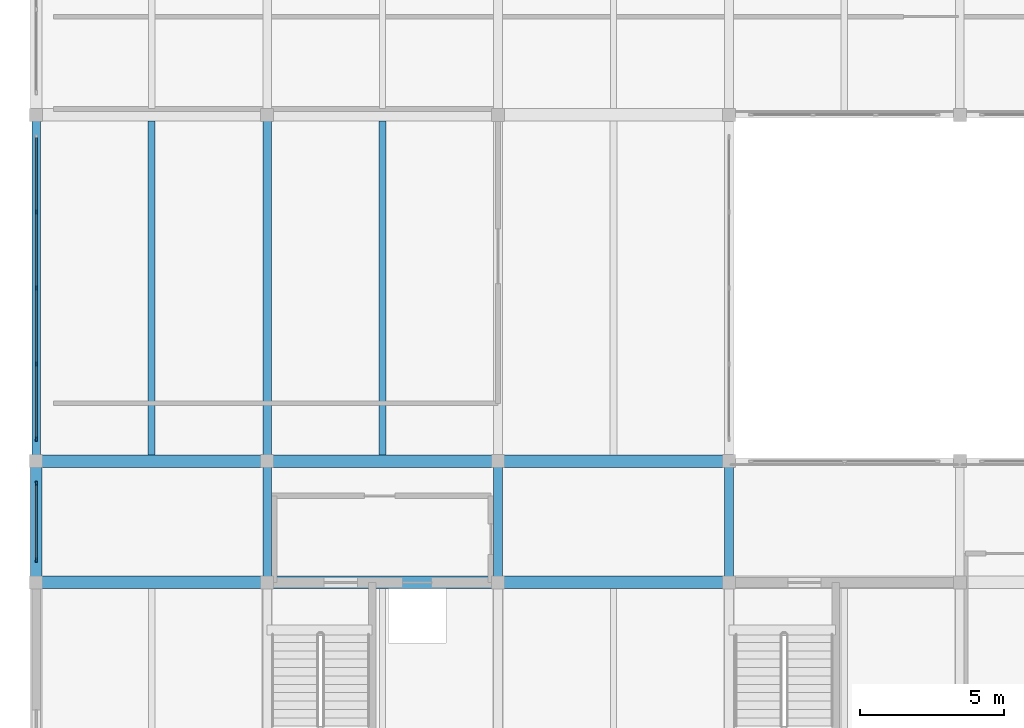
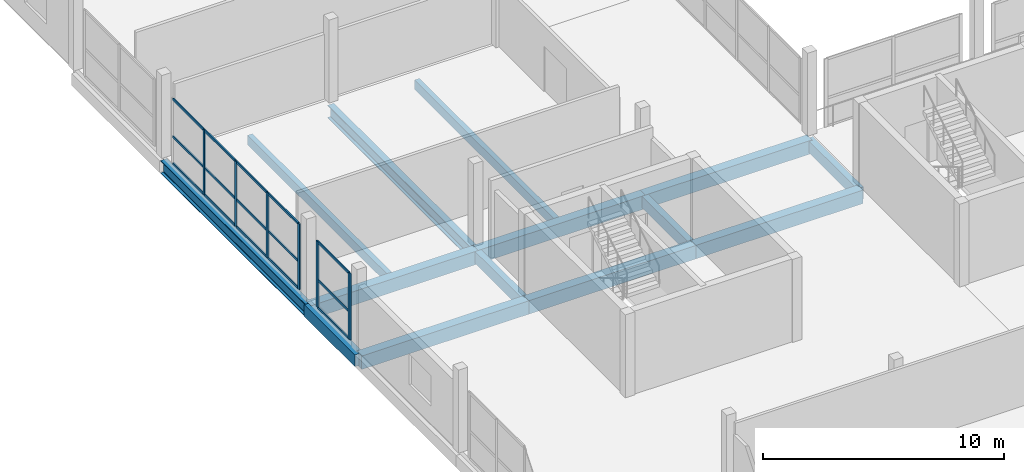
# One storey, part 19 of 53: 21 members, 14 beams, 2 elements without a shape of their own.
"""IFC4 building model written with IfcOpenShell, lengths in metres."""

import ifcopenshell
import ifcopenshell.guid

model = None  # the IFC model being written
_history = None  # IfcOwnerHistory: only IFC2X3 demands one
_inside = {}  # id of a spatial element -> (the spatial element, [elements in it])
_under = {}  # id of a project, library or spatial element -> (it, [spatial elements below it])
_declared = {}  # id of a project -> (the project, [libraries it declares])
_typed = {}  # id of a type object -> (the type object, [elements of that type])
_made_of = {}  # id of a material, layer set ... -> (it, [elements and type objects made of it])


def new_model(schema):
    """Start an empty IFC model of exactly this schema.

    Asked for "IFC4X3", IfcOpenShell would pick the latest addendum, in which some entities
    have other attributes; the version numbers below select the first issue.
    IFC2X3 requires an IfcOwnerHistory on every rooted entity: one is made here for all.
    """
    global model, _history
    if schema == "IFC4X3":
        model = ifcopenshell.file(schema_version=(4, 3, 0, 0))
    else:
        model = ifcopenshell.file(schema=schema)
    _inside.clear()
    _under.clear()
    _declared.clear()
    _typed.clear()
    _made_of.clear()
    _history = None
    if model.schema == "IFC2X3":
        org = make("IfcOrganization", Name="unknown")
        user = make(
            "IfcPersonAndOrganization",
            ThePerson=make("IfcPerson", FamilyName="unknown"),
            TheOrganization=org,
        )
        app = make(
            "IfcApplication",
            ApplicationDeveloper=org,
            Version="unknown",
            ApplicationFullName="unknown",
            ApplicationIdentifier="unknown",
        )
        _history = make(
            "IfcOwnerHistory",
            OwningUser=user,
            OwningApplication=app,
            ChangeAction="ADDED",
            CreationDate=0,
        )
    return model


def make(cls, **values):
    """One entity of the class cls with the attributes given. An attribute that is None is left unset."""
    return model.create_entity(
        cls, **{name: value for name, value in values.items() if value is not None}
    )


def rooted(cls, **values):
    """An entity with a GlobalId (a new one), such as an element, a storey or a relation."""
    return make(cls, GlobalId=ifcopenshell.guid.new(), OwnerHistory=_history, **values)


def si_unit(unit_type, name, prefix=None):
    """IfcSIUnit, for example si_unit("LENGTHUNIT", "METRE", prefix="MILLI")."""
    return make("IfcSIUnit", UnitType=unit_type, Prefix=prefix, Name=name)


def assignment(units):
    """IfcUnitAssignment: the units of a project."""
    return None if units is None else make("IfcUnitAssignment", Units=units)


def point(xyz):
    """IfcCartesianPoint."""
    return None if xyz is None else make("IfcCartesianPoint", Coordinates=xyz)


def direction(xyz):
    """IfcDirection."""
    return None if xyz is None else make("IfcDirection", DirectionRatios=xyz)


def frame(location, z_axis=None, x_axis=None):
    """IfcAxis2Placement3D, a coordinate frame: its origin and axes. An axis left out is left unset."""
    return make(
        "IfcAxis2Placement3D",
        Location=point(location),
        Axis=direction(z_axis),
        RefDirection=direction(x_axis),
    )


def frame_2d(location, x_axis=None):
    """IfcAxis2Placement2D, a coordinate frame in the plane: its origin and x axis."""
    return make(
        "IfcAxis2Placement2D", Location=point(location), RefDirection=direction(x_axis)
    )


def origin():
    """The frame at (0, 0, 0) with its axes left unset."""
    return frame((0.0, 0.0, 0.0))


def origin_2d():
    """The frame at (0, 0) in the plane with its x axis left unset."""
    return frame_2d((0.0, 0.0))


def place(relative_to, where):
    """IfcLocalPlacement: puts the frame where relative to a parent placement (None: the world)."""
    return make(
        "IfcLocalPlacement", PlacementRelTo=relative_to, RelativePlacement=where
    )


def context(
    kind, dimensions, precision=None, world=None, true_north=None, identifier=None
):
    """IfcGeometricRepresentationContext, for example the 3D "Model" context."""
    return make(
        "IfcGeometricRepresentationContext",
        ContextIdentifier=identifier,
        ContextType=kind,
        CoordinateSpaceDimension=dimensions,
        Precision=precision,
        WorldCoordinateSystem=world,
        TrueNorth=true_north,
    )


def subcontext(parent, identifier, kind, view, scale=None):
    """IfcGeometricRepresentationSubContext, for example "Body" below "Model"."""
    return make(
        "IfcGeometricRepresentationSubContext",
        ContextIdentifier=identifier,
        ContextType=kind,
        ParentContext=parent,
        TargetScale=scale,
        TargetView=view,
    )


def project(units=None, contexts=None):
    """IfcProject with its units and contexts."""
    return rooted(
        "IfcProject",
        Name="project",
        RepresentationContexts=contexts,
        UnitsInContext=assignment(units),
    )


def spatial(cls, under=None, at=None, **own):
    """A site, building, storey or space (cls), placed at a placement, below another one or the project."""
    s = rooted(cls, ObjectPlacement=at, **own)
    if under is not None:
        _under.setdefault(under.id(), (under, []))[1].append(s)
    return s


def profile(cls, at=None, kind="AREA", **sizes):
    """A parametric profile (cls). Its sizes go by their IFC names, for example OverallWidth=200.0."""
    return make(cls, ProfileType=kind, Position=at, **sizes)


def rectangle(**sizes):
    """IfcRectangleProfileDef."""
    return profile("IfcRectangleProfileDef", **sizes)


def i_section(**sizes):
    """IfcIShapeProfileDef."""
    return profile("IfcIShapeProfileDef", **sizes)


def extrude(swept, where, along, depth):
    """IfcExtrudedAreaSolid: the profile swept, set in the frame where, extruded along a direction by depth."""
    return make(
        "IfcExtrudedAreaSolid",
        SweptArea=swept,
        Position=where,
        ExtrudedDirection=direction(along),
        Depth=depth,
    )


def shape(context_of_items, identifier, shape_type, items):
    """IfcShapeRepresentation: the items that make up one representation, for example the "Body"."""
    return make(
        "IfcShapeRepresentation",
        ContextOfItems=context_of_items,
        RepresentationIdentifier=identifier,
        RepresentationType=shape_type,
        Items=items,
    )


def material(Name=None, Category=None):
    """IfcMaterial."""
    return make("IfcMaterial", Name=Name, Category=Category)


def material_profile(
    of_material, cross_section, Name=None, Category=None, Priority=None
):
    """IfcMaterialProfile: a cross section and its material."""
    return make(
        "IfcMaterialProfile",
        Name=Name,
        Material=of_material,
        Profile=cross_section,
        Priority=Priority,
        Category=Category,
    )


def profile_set(profiles, Name=None, composite=None):
    """IfcMaterialProfileSet."""
    return make(
        "IfcMaterialProfileSet",
        Name=Name,
        MaterialProfiles=profiles,
        CompositeProfile=composite,
    )


def made_of(thing, what):
    """Note that an element or type object is made of a material, layer set ...; save() writes the relation."""
    if what is not None:
        _made_of.setdefault(what.id(), (what, []))[1].append(thing)
    return thing


def type_object(cls, material=None, **own):
    """A type object (cls), such as IfcWallType, which elements share."""
    return made_of(rooted(cls, **own), material)


def element(
    cls,
    number,
    at=None,
    inside=None,
    cuts=None,
    type_object=None,
    material=None,
    context=None,
    identifier="Body",
    shape_type=None,
    held_by="IfcProductDefinitionShape",
    body=None,
    shapes=None,
    **own,
):
    """One element of the class cls, such as IfcWall. Its Tag is "e" and its number.

    at: its placement. inside: the storey or other place that contains it. cuts: it is an
    opening in that element (IfcRelVoidsElement). A single representation is given by context,
    identifier, shape_type and body (its items); several are given by shapes. held_by: the class
    of the entity that holds the representations. save() writes the other relations.
    """
    e = rooted(cls, Tag="e%d" % number, ObjectPlacement=at, **own)
    if body is not None:
        shapes = [shape(context, identifier, shape_type, body)]
    if shapes is not None:
        e.Representation = make(held_by, Representations=shapes)
    if inside is not None:
        _inside.setdefault(inside.id(), (inside, []))[1].append(e)
    if cuts is not None:
        rooted(
            "IfcRelVoidsElement", RelatingBuildingElement=cuts, RelatedOpeningElement=e
        )
    if type_object is not None:
        _typed.setdefault(type_object.id(), (type_object, []))[1].append(e)
    return made_of(e, material)


def aggregate(whole, parts):
    """IfcRelAggregates: a whole, such as a stair, and the parts it consists of."""
    return rooted("IfcRelAggregates", RelatingObject=whole, RelatedObjects=parts)


def save(model, path):
    """Write the relations noted so far, then the file.

    IfcRelAggregates (storeys below a building ...), IfcRelContainedInSpatialStructure (elements
    in a storey), IfcRelDefinesByType, IfcRelAssociatesMaterial and IfcRelDeclares: one each for
    every whole, place, type object, material and project.
    """
    for whole, parts in _under.values():
        aggregate(whole, parts)
    for where, things in _inside.values():
        rooted(
            "IfcRelContainedInSpatialStructure",
            RelatedElements=things,
            RelatingStructure=where,
        )
    for kind, things in _typed.values():
        rooted("IfcRelDefinesByType", RelatedObjects=things, RelatingType=kind)
    for what, things in _made_of.values():
        rooted("IfcRelAssociatesMaterial", RelatedObjects=things, RelatingMaterial=what)
    for by, libraries in _declared.values():
        rooted("IfcRelDeclares", RelatingContext=by, RelatedDefinitions=libraries)
    model.write(path)


model = new_model("IFC4")

# Units and contexts
model_context = context("Model", 3, precision=1e-05, world=origin(), true_north=direction((0.0, 1.0)))
body_context = subcontext(model_context, "Body", "Model", "MODEL_VIEW")
ifc_project = project(units=[si_unit("LENGTHUNIT", "METRE"), si_unit("AREAUNIT", "SQUARE_METRE"), si_unit("VOLUMEUNIT", "CUBIC_METRE"), si_unit("PLANEANGLEUNIT", "RADIAN"), si_unit("MASSUNIT", "GRAM", prefix="KILO")], contexts=[model_context])

# Site, building, storey
site_placement = place(None, origin())
site = spatial("IfcSite", under=ifc_project, at=site_placement, CompositionType="ELEMENT")
building_placement = place(site_placement, origin())
building = spatial("IfcBuilding", under=site, at=building_placement, Name="Vharandega Faculty of Natural Sciences", CompositionType="ELEMENT")
storey_placement = place(building_placement, frame((0.0, 0.0, 10.199951171875)))
storey = spatial("IfcBuildingStorey", under=building, at=storey_placement, Name="L02", CompositionType="ELEMENT", Elevation=10.199951171875)

# Curtain wall, members
ifc_material_1 = material(Name="Aluminium and solar-control glass curtain wall", Category="aluminium")
curtain_wall_type_1 = type_object("IfcCurtainWallType", Name="Unitised Curtain Wall System CW-26", PredefinedType="NOTDEFINED", material=ifc_material_1)
curtain_wall_1_placement = place(storey_placement, origin())
curtain_wall_1 = element("IfcCurtainWall", 1, at=curtain_wall_1_placement, inside=storey, type_object=curtain_wall_type_1, Name="Curtain Wall CW-L02-053", PredefinedType="NOTDEFINED")
ifc_material_2 = material(Name="Thermally broken aluminium 6063-T6", Category="aluminium")
ifc_material_profile_1 = material_profile(ifc_material_2, rectangle(XDim=0.06005859375, YDim=0.159912109375, at=origin_2d()), Name="ALU 60x160")
ifc_profile_set_1 = profile_set([ifc_material_profile_1], Name="Thermally broken aluminium 6063-T6")
member_type_1 = type_object("IfcMemberType", Name="CW Mullion 60x160", PredefinedType="MULLION", material=ifc_profile_set_1)
member_1_placement = place(storey_placement, frame((0.0, 81.570068359375, 0.0), z_axis=(0.0, 0.0, 1.0), x_axis=(-1.0, 0.0, 0.0)))
member_1 = element("IfcMember", 2, at=member_1_placement, type_object=member_type_1, Name="CW-26 mullion 1", PredefinedType="MULLION", context=body_context, shape_type="SweptSolid", body=[
    extrude(rectangle(XDim=0.06005859375, YDim=0.159912109375, at=origin_2d()), origin(), (0.0, 0.0, 1.0), 3.360107421875),
])
member_2_placement = place(storey_placement, frame((0.0, 84.22998046875, 0.0), z_axis=(0.0, 0.0, 1.0), x_axis=(-1.0, 0.0, 0.0)))
member_2 = element("IfcMember", 3, at=member_2_placement, type_object=member_type_1, Name="CW-26 mullion 2", PredefinedType="MULLION", context=body_context, shape_type="SweptSolid", body=[
    extrude(rectangle(XDim=0.06005859375, YDim=0.159912109375, at=origin_2d()), origin(), (0.0, 0.0, 1.0), 3.360107421875),
])

ifc_material_3 = material(Name="Aluminium and solar-control glass curtain wall", Category="aluminium")
curtain_wall_type_2 = type_object("IfcCurtainWallType", Name="Unitised Curtain Wall System CW-27", PredefinedType="NOTDEFINED", material=ifc_material_3)
curtain_wall_2_placement = place(storey_placement, origin())
curtain_wall_2 = element("IfcCurtainWall", 4, at=curtain_wall_2_placement, inside=storey, type_object=curtain_wall_type_2, Name="Curtain Wall CW-L02-054", PredefinedType="NOTDEFINED")
member_3_placement = place(storey_placement, frame((0.0, 85.77001953125, 0.0), z_axis=(0.0, 0.0, 1.0), x_axis=(-1.0, 0.0, 0.0)))
member_3 = element("IfcMember", 5, at=member_3_placement, type_object=member_type_1, Name="CW-27 mullion 1", PredefinedType="MULLION", context=body_context, shape_type="SweptSolid", body=[
    extrude(rectangle(XDim=0.06005859375, YDim=0.159912109375, at=origin_2d()), origin(), (0.0, 0.0, 1.0), 3.31005859375),
])
member_4_placement = place(storey_placement, frame((0.0, 88.3701171875, 0.0), z_axis=(0.0, 0.0, 1.0), x_axis=(-1.0, 0.0, 0.0)))
member_4 = element("IfcMember", 6, at=member_4_placement, type_object=member_type_1, Name="CW-27 mullion 2", PredefinedType="MULLION", context=body_context, shape_type="SweptSolid", body=[
    extrude(rectangle(XDim=0.06005859375, YDim=0.159912109375, at=origin_2d()), origin(), (0.0, 0.0, 1.0), 3.31005859375),
])
member_5_placement = place(storey_placement, frame((0.0, 91.0, 0.0), z_axis=(0.0, 0.0, 1.0), x_axis=(-1.0, 0.0, 0.0)))
member_5 = element("IfcMember", 7, at=member_5_placement, type_object=member_type_1, Name="CW-27 mullion 3", PredefinedType="MULLION", context=body_context, shape_type="SweptSolid", body=[
    extrude(rectangle(XDim=0.06005859375, YDim=0.159912109375, at=origin_2d()), origin(), (0.0, 0.0, 1.0), 3.31005859375),
])
member_6_placement = place(storey_placement, frame((0.0, 93.6298828125, 0.0), z_axis=(0.0, 0.0, 1.0), x_axis=(-1.0, 0.0, 0.0)))
member_6 = element("IfcMember", 8, at=member_6_placement, type_object=member_type_1, Name="CW-27 mullion 4", PredefinedType="MULLION", context=body_context, shape_type="SweptSolid", body=[
    extrude(rectangle(XDim=0.06005859375, YDim=0.159912109375, at=origin_2d()), origin(), (0.0, 0.0, 1.0), 3.31005859375),
])

# Member
ifc_material_4 = material(Name="Thermally broken aluminium 6063-T6", Category="aluminium")
ifc_material_profile_2 = material_profile(ifc_material_4, rectangle(XDim=0.06005859375, YDim=0.1201171875, at=origin_2d()), Name="ALU 60x120")
ifc_profile_set_2 = profile_set([ifc_material_profile_2], Name="Thermally broken aluminium 6063-T6")
member_type_2 = type_object("IfcMemberType", Name="CW Transom 60x120", PredefinedType="USERDEFINED", material=ifc_profile_set_2)
member_7_placement = place(storey_placement, frame((0.0, 81.60009765625, 0.030029296875), z_axis=(0.0, 1.0, 0.0), x_axis=(-1.0, 0.0, 0.0)))
member_7 = element("IfcMember", 9, at=member_7_placement, type_object=member_type_2, Name="CW-26 transom 1.1", ObjectType="TRANSOM", PredefinedType="USERDEFINED", context=body_context, shape_type="SweptSolid", body=[
    extrude(rectangle(XDim=0.06005859375, YDim=0.1201171875, at=origin_2d()), origin(), (0.0, 0.0, 1.0), 2.599853515625),
])

member_8_placement = place(storey_placement, frame((0.0, 81.60009765625, 1.4111328125), z_axis=(0.0, 1.0, 0.0), x_axis=(-1.0, 0.0, 0.0)))
member_8 = element("IfcMember", 10, at=member_8_placement, type_object=member_type_2, Name="CW-26 transom 1.2", ObjectType="TRANSOM", PredefinedType="USERDEFINED", context=body_context, shape_type="SweptSolid", body=[
    extrude(rectangle(XDim=0.06005859375, YDim=0.1201171875, at=origin_2d()), origin(), (0.0, 0.0, 1.0), 2.599853515625),
])

member_9_placement = place(storey_placement, frame((0.0, 81.60009765625, 3.330078125), z_axis=(0.0, 1.0, 0.0), x_axis=(-1.0, 0.0, 0.0)))
member_9 = element("IfcMember", 11, at=member_9_placement, type_object=member_type_2, Name="CW-26 transom 1.3", ObjectType="TRANSOM", PredefinedType="USERDEFINED", context=body_context, shape_type="SweptSolid", body=[
    extrude(rectangle(XDim=0.06005859375, YDim=0.1201171875, at=origin_2d()), origin(), (0.0, 0.0, 1.0), 2.599853515625),
])

aggregate(curtain_wall_1, [member_1, member_2, member_7, member_8, member_9])

member_10_placement = place(storey_placement, frame((0.0, 85.800048828125, 0.030029296875), z_axis=(0.0, 1.0, 0.0), x_axis=(-1.0, 0.0, 0.0)))
member_10 = element("IfcMember", 12, at=member_10_placement, type_object=member_type_2, Name="CW-27 transom 1.1", ObjectType="TRANSOM", PredefinedType="USERDEFINED", context=body_context, shape_type="SweptSolid", body=[
    extrude(rectangle(XDim=0.06005859375, YDim=0.1201171875, at=origin_2d()), origin(), (0.0, 0.0, 1.0), 2.5400390625),
])

member_11_placement = place(storey_placement, frame((0.0, 85.800048828125, 1.39013671875), z_axis=(0.0, 1.0, 0.0), x_axis=(-1.0, 0.0, 0.0)))
member_11 = element("IfcMember", 13, at=member_11_placement, type_object=member_type_2, Name="CW-27 transom 1.2", ObjectType="TRANSOM", PredefinedType="USERDEFINED", context=body_context, shape_type="SweptSolid", body=[
    extrude(rectangle(XDim=0.06005859375, YDim=0.1201171875, at=origin_2d()), origin(), (0.0, 0.0, 1.0), 2.5400390625),
])

member_12_placement = place(storey_placement, frame((0.0, 85.800048828125, 3.280029296875), z_axis=(0.0, 1.0, 0.0), x_axis=(-1.0, 0.0, 0.0)))
member_12 = element("IfcMember", 14, at=member_12_placement, type_object=member_type_2, Name="CW-27 transom 1.3", ObjectType="TRANSOM", PredefinedType="USERDEFINED", context=body_context, shape_type="SweptSolid", body=[
    extrude(rectangle(XDim=0.06005859375, YDim=0.1201171875, at=origin_2d()), origin(), (0.0, 0.0, 1.0), 2.5400390625),
])

member_13_placement = place(storey_placement, frame((0.0, 88.39990234375, 0.030029296875), z_axis=(0.0, 1.0, 0.0), x_axis=(-1.0, 0.0, 0.0)))
member_13 = element("IfcMember", 15, at=member_13_placement, type_object=member_type_2, Name="CW-27 transom 2.1", ObjectType="TRANSOM", PredefinedType="USERDEFINED", context=body_context, shape_type="SweptSolid", body=[
    extrude(rectangle(XDim=0.06005859375, YDim=0.1201171875, at=origin_2d()), origin(), (0.0, 0.0, 1.0), 2.570068359375),
])

member_14_placement = place(storey_placement, frame((0.0, 88.39990234375, 1.39013671875), z_axis=(0.0, 1.0, 0.0), x_axis=(-1.0, 0.0, 0.0)))
member_14 = element("IfcMember", 16, at=member_14_placement, type_object=member_type_2, Name="CW-27 transom 2.2", ObjectType="TRANSOM", PredefinedType="USERDEFINED", context=body_context, shape_type="SweptSolid", body=[
    extrude(rectangle(XDim=0.06005859375, YDim=0.1201171875, at=origin_2d()), origin(), (0.0, 0.0, 1.0), 2.570068359375),
])

member_15_placement = place(storey_placement, frame((0.0, 88.39990234375, 3.280029296875), z_axis=(0.0, 1.0, 0.0), x_axis=(-1.0, 0.0, 0.0)))
member_15 = element("IfcMember", 17, at=member_15_placement, type_object=member_type_2, Name="CW-27 transom 2.3", ObjectType="TRANSOM", PredefinedType="USERDEFINED", context=body_context, shape_type="SweptSolid", body=[
    extrude(rectangle(XDim=0.06005859375, YDim=0.1201171875, at=origin_2d()), origin(), (0.0, 0.0, 1.0), 2.570068359375),
])

member_16_placement = place(storey_placement, frame((0.0, 91.030029296875, 0.030029296875), z_axis=(0.0, 1.0, 0.0), x_axis=(-1.0, 0.0, 0.0)))
member_16 = element("IfcMember", 18, at=member_16_placement, type_object=member_type_2, Name="CW-27 transom 3.1", ObjectType="TRANSOM", PredefinedType="USERDEFINED", context=body_context, shape_type="SweptSolid", body=[
    extrude(rectangle(XDim=0.06005859375, YDim=0.1201171875, at=origin_2d()), origin(), (0.0, 0.0, 1.0), 2.570068359375),
])

member_17_placement = place(storey_placement, frame((0.0, 91.030029296875, 1.39013671875), z_axis=(0.0, 1.0, 0.0), x_axis=(-1.0, 0.0, 0.0)))
member_17 = element("IfcMember", 19, at=member_17_placement, type_object=member_type_2, Name="CW-27 transom 3.2", ObjectType="TRANSOM", PredefinedType="USERDEFINED", context=body_context, shape_type="SweptSolid", body=[
    extrude(rectangle(XDim=0.06005859375, YDim=0.1201171875, at=origin_2d()), origin(), (0.0, 0.0, 1.0), 2.570068359375),
])

member_18_placement = place(storey_placement, frame((0.0, 91.030029296875, 3.280029296875), z_axis=(0.0, 1.0, 0.0), x_axis=(-1.0, 0.0, 0.0)))
member_18 = element("IfcMember", 20, at=member_18_placement, type_object=member_type_2, Name="CW-27 transom 3.3", ObjectType="TRANSOM", PredefinedType="USERDEFINED", context=body_context, shape_type="SweptSolid", body=[
    extrude(rectangle(XDim=0.06005859375, YDim=0.1201171875, at=origin_2d()), origin(), (0.0, 0.0, 1.0), 2.570068359375),
])

member_19_placement = place(storey_placement, frame((0.0, 93.659912109375, 0.030029296875), z_axis=(0.0, 1.0, 0.0), x_axis=(-1.0, 0.0, 0.0)))
member_19 = element("IfcMember", 21, at=member_19_placement, type_object=member_type_2, Name="CW-27 transom 4.1", ObjectType="TRANSOM", PredefinedType="USERDEFINED", context=body_context, shape_type="SweptSolid", body=[
    extrude(rectangle(XDim=0.06005859375, YDim=0.1201171875, at=origin_2d()), origin(), (0.0, 0.0, 1.0), 2.5400390625),
])

member_20_placement = place(storey_placement, frame((0.0, 93.659912109375, 1.39013671875), z_axis=(0.0, 1.0, 0.0), x_axis=(-1.0, 0.0, 0.0)))
member_20 = element("IfcMember", 22, at=member_20_placement, type_object=member_type_2, Name="CW-27 transom 4.2", ObjectType="TRANSOM", PredefinedType="USERDEFINED", context=body_context, shape_type="SweptSolid", body=[
    extrude(rectangle(XDim=0.06005859375, YDim=0.1201171875, at=origin_2d()), origin(), (0.0, 0.0, 1.0), 2.5400390625),
])

member_21_placement = place(storey_placement, frame((0.0, 93.659912109375, 3.280029296875), z_axis=(0.0, 1.0, 0.0), x_axis=(-1.0, 0.0, 0.0)))
member_21 = element("IfcMember", 23, at=member_21_placement, type_object=member_type_2, Name="CW-27 transom 4.3", ObjectType="TRANSOM", PredefinedType="USERDEFINED", context=body_context, shape_type="SweptSolid", body=[
    extrude(rectangle(XDim=0.06005859375, YDim=0.1201171875, at=origin_2d()), origin(), (0.0, 0.0, 1.0), 2.5400390625),
])

aggregate(curtain_wall_2, [member_3, member_4, member_5, member_6, member_10, member_11, member_12, member_13, member_14, member_15, member_16, member_17, member_18, member_19, member_20, member_21])

# Beams
ifc_material_5 = material(Name="Glulam GL28h", Category="wood")
ifc_material_profile_3 = material_profile(ifc_material_5, rectangle(XDim=0.300048828125, YDim=0.60009765625, at=origin_2d()), Name="GL28h 300x600")
ifc_profile_set_3 = profile_set([ifc_material_profile_3], Name="Glulam GL28h")
beam_type_1 = type_object("IfcBeamType", Name="Glulam Floor Beam 300x600", PredefinedType="BEAM", material=ifc_profile_set_3)
for number, where, z_axis, x_axis, name in (
    (24, (8.0, 80.800048828125, -0.56005859375), (0.0, 1.0, 0.0), (-1.0, 0.0, 0.0), "Beam L02 2/L-M"),
    (25, (16.0, 80.800048828125, -0.56005859375), (0.0, 1.0, 0.0), (-1.0, 0.0, 0.0), "Beam L02 3/L-M"),
    (26, (24.0, 80.800048828125, -0.579833984375), (0.0, 1.0, 0.0), (-1.0, 0.0, 0.0), "Beam L02 4/L-M"),
):
    element("IfcBeam", number, at=place(storey_placement, frame(where, z_axis=z_axis, x_axis=x_axis)), inside=storey, type_object=beam_type_1, Name=name, PredefinedType="BEAM", context=body_context, shape_type="SweptSolid", body=[
        extrude(rectangle(XDim=0.300048828125, YDim=0.60009765625, at=origin_2d()), origin(), (0.0, 0.0, 1.0), 4.199951171875),
    ])
ifc_material_6 = material(Name="Glulam GL32h", Category="wood")
ifc_material_profile_4 = material_profile(ifc_material_6, rectangle(XDim=0.43994140625, YDim=0.679931640625, at=origin_2d()), Name="GL32h 440x680")
ifc_profile_set_4 = profile_set([ifc_material_profile_4], Name="Glulam GL32h")
beam_type_2 = type_object("IfcBeamType", Name="Glulam Girder 440x680", PredefinedType="BEAM", material=ifc_profile_set_4)
for number, where, z_axis, x_axis, name in (
    (27, (0.0, 80.800048828125, -0.599853515625), (1.0, 0.0, 0.0), (0.0, 1.0, 0.0), "Beam L02 L/1-2"),
    (28, (8.0, 80.800048828125, -0.599853515625), (1.0, 0.0, 0.0), (0.0, 1.0, 0.0), "Beam L02 L/2-3"),
    (29, (16.0, 80.800048828125, -0.599853515625), (1.0, 0.0, 0.0), (0.0, 1.0, 0.0), "Beam L02 L/3-4"),
    (30, (0.0, 85.0, -0.599853515625), (1.0, 0.0, 0.0), (0.0, 1.0, 0.0), "Beam L02 M/1-2"),
    (31, (8.0, 85.0, -0.599853515625), (1.0, 0.0, 0.0), (0.0, 1.0, 0.0), "Beam L02 M/2-3"),
    (32, (16.0, 85.0, -0.599853515625), (1.0, 0.0, 0.0), (0.0, 1.0, 0.0), "Beam L02 M/3-4"),
):
    element("IfcBeam", number, at=place(storey_placement, frame(where, z_axis=z_axis, x_axis=x_axis)), inside=storey, type_object=beam_type_2, Name=name, PredefinedType="BEAM", context=body_context, shape_type="SweptSolid", body=[
        extrude(rectangle(XDim=0.43994140625, YDim=0.679931640625, at=origin_2d()), origin(), (0.0, 0.0, 1.0), 8.0),
    ])
ifc_material_7 = material(Name="Glulam GL28h", Category="wood")
ifc_material_profile_5 = material_profile(ifc_material_7, rectangle(XDim=0.239990234375, YDim=0.47998046875, at=origin_2d()), Name="GL28h 240x480")
ifc_profile_set_5 = profile_set([ifc_material_profile_5], Name="Glulam GL28h")
beam_type_3 = type_object("IfcBeamType", Name="Glulam Secondary Joist 240x480", PredefinedType="JOIST", material=ifc_profile_set_5)
for number, where, z_axis, x_axis, name in (
    (33, (4.0, 85.219970703125, -0.5), (0.0, 1.0, 0.0), (-1.0, 0.0, 0.0), "Secondary Joist L02 1-2/M-N"),
    (34, (12.0, 85.219970703125, -0.5), (0.0, 1.0, 0.0), (-1.0, 0.0, 0.0), "Secondary Joist L02 2-3/M-N"),
):
    element("IfcBeam", number, at=place(storey_placement, frame(where, z_axis=z_axis, x_axis=x_axis)), inside=storey, type_object=beam_type_3, Name=name, PredefinedType="JOIST", context=body_context, shape_type="SweptSolid", body=[
        extrude(rectangle(XDim=0.239990234375, YDim=0.47998046875, at=origin_2d()), origin(), (0.0, 0.0, 1.0), 11.56005859375),
    ])
ifc_material_8 = material(Name="Glulam GL32h", Category="wood")
ifc_material_profile_6 = material_profile(ifc_material_8, rectangle(XDim=0.39990234375, YDim=0.60009765625, at=origin_2d()), Name="GL32h 400x600")
ifc_profile_set_6 = profile_set([ifc_material_profile_6], Name="Glulam GL32h")
beam_type_4 = type_object("IfcBeamType", Name="Glulam Spine Girder 400x600", PredefinedType="BEAM", material=ifc_profile_set_6)
beam_placement = place(storey_placement, frame((0.0, 80.800048828125, -0.56005859375), z_axis=(0.0, 1.0, 0.0), x_axis=(-1.0, 0.0, 0.0)))
element("IfcBeam", 35, at=beam_placement, inside=storey, type_object=beam_type_4, Name="Beam L02 1/L-M", PredefinedType="BEAM", context=body_context, shape_type="SweptSolid", body=[
    extrude(rectangle(XDim=0.39990234375, YDim=0.60009765625, at=origin_2d()), origin(), (0.0, 0.0, 1.0), 4.199951171875),
])
ifc_material_9 = material(Name="Steel S355", Category="steel")
ifc_material_profile_7 = material_profile(ifc_material_9, i_section(OverallWidth=0.300048828125, OverallDepth=0.64990234375, WebThickness=0.01611328125, FlangeThickness=0.031005859375, FilletRadius=0.027099609375, at=origin_2d()), Name="HEB 650")
ifc_profile_set_7 = profile_set([ifc_material_profile_7], Name="Steel S355")
beam_type_5 = type_object("IfcBeamType", Name="Steel Collector Beam HEB 650", PredefinedType="BEAM", material=ifc_profile_set_7)
for number, where, z_axis, x_axis, name in (
    (36, (0.0, 85.0, -0.5849609375), (0.0, 1.0, 0.0), (-1.0, 0.0, 0.0), "Beam L02 1/M-N"),
    (37, (8.0, 85.0, -0.5849609375), (0.0, 1.0, 0.0), (-1.0, 0.0, 0.0), "Beam L02 2/M-N"),
):
    element("IfcBeam", number, at=place(storey_placement, frame(where, z_axis=z_axis, x_axis=x_axis)), inside=storey, type_object=beam_type_5, Name=name, PredefinedType="BEAM", context=body_context, shape_type="SweptSolid", body=[
        extrude(i_section(OverallWidth=0.300048828125, OverallDepth=0.64990234375, WebThickness=0.01611328125, FlangeThickness=0.031005859375, FilletRadius=0.027099609375, at=origin_2d()), origin(), (0.0, 0.0, 1.0), 12.0),
    ])

save(model, "model.ifc")
